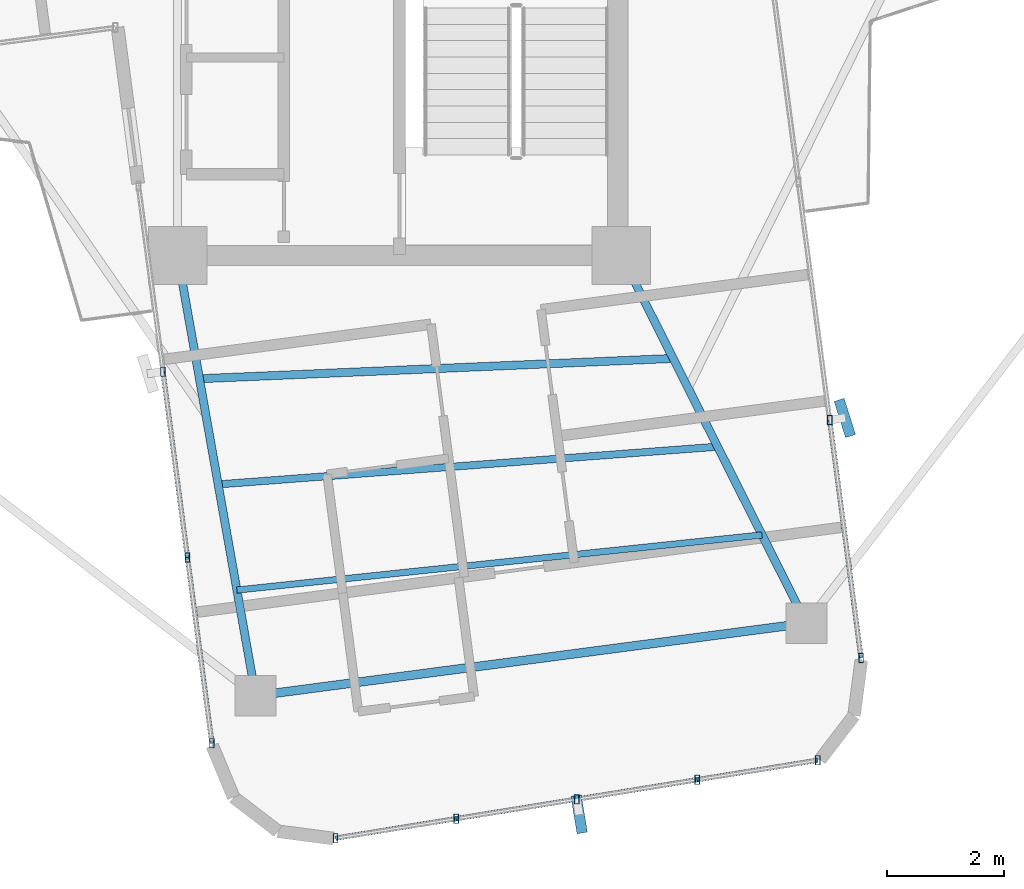
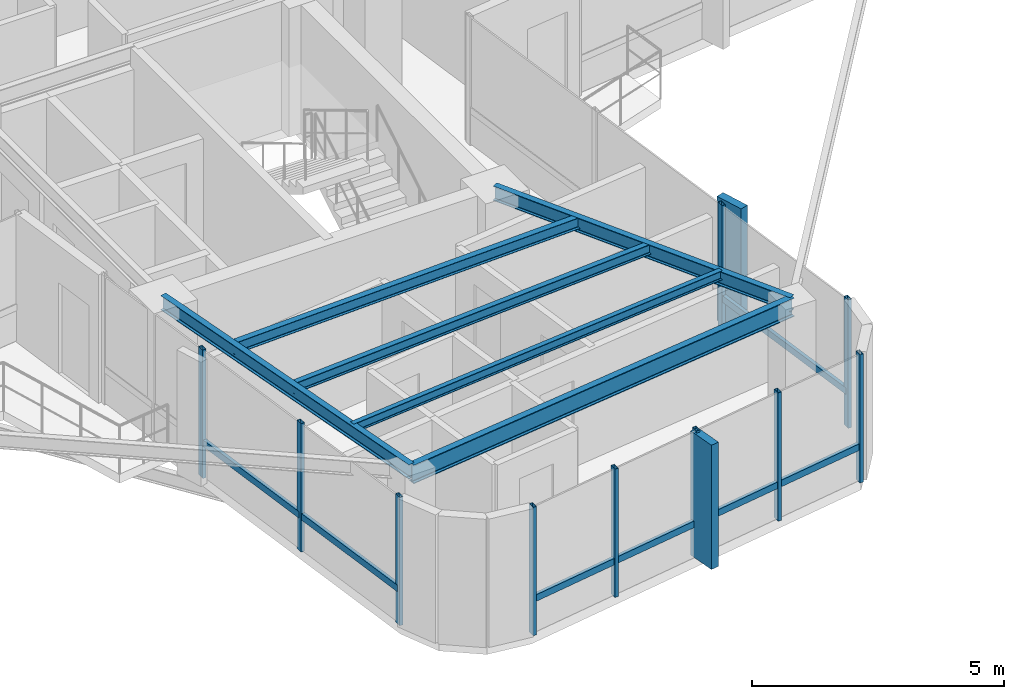
# One storey, part 4 of 23: 19 members, 6 beams, 3 elements without a shape of their own.
"""IFC4 building model written with IfcOpenShell, lengths in metres."""

from ifc_helpers import new_model, si_unit, direction, frame, origin, origin_2d, place, context, subcontext, project, spatial, rectangle, hollow_rectangle, i_section, extrude, source, transform, mapped, material, material_profile, profile_set, type_object, element, aggregate, save


model = new_model("IFC4")

# Units and contexts
model_context = context("Model", 3, precision=1e-05, world=origin(), true_north=direction((0.0, 1.0)))
body_context = subcontext(model_context, "Body", "Model", "MODEL_VIEW")
ifc_project = project(units=[si_unit("LENGTHUNIT", "METRE"), si_unit("AREAUNIT", "SQUARE_METRE"), si_unit("VOLUMEUNIT", "CUBIC_METRE"), si_unit("PLANEANGLEUNIT", "RADIAN"), si_unit("MASSUNIT", "GRAM", prefix="KILO")], contexts=[model_context])

# Site, building, storey
site_placement = place(None, origin())
site = spatial("IfcSite", under=ifc_project, at=site_placement, CompositionType="ELEMENT")
building_placement = place(site_placement, origin())
building = spatial("IfcBuilding", under=site, at=building_placement, Name="Sahyath Konkavel Grand Hotel", CompositionType="ELEMENT")
storey_placement = place(building_placement, frame((0.0, 0.0, 251.199951171875)))
storey = spatial("IfcBuildingStorey", under=building, at=storey_placement, Name="L70", CompositionType="ELEMENT", Elevation=251.199951171875)

# Beams
ifc_material_1 = material(Name="Steel E350", Category="steel")
ifc_material_profile_1 = material_profile(ifc_material_1, i_section(OverallWidth=0.139892578125, OverallDepth=0.35009765625, WebThickness=0.008056640625, FlangeThickness=0.01416015625, FilletRadius=0.013916015625, at=origin_2d()), Name="ISMB 350")
ifc_profile_set_1 = profile_set([ifc_material_profile_1], Name="Steel E350")
beam_type_1 = type_object("IfcBeamType", Name="BM-ISMB350", PredefinedType="BEAM", material=ifc_profile_set_1)
shared_shape_1 = source(origin(), body_context, "Body", "SweptSolid", [
    extrude(i_section(OverallWidth=0.139892578125, OverallDepth=0.35009765625, WebThickness=0.008056640625, FlangeThickness=0.01416015625, FilletRadius=0.013916015625, at=origin_2d()), origin(), (0.0, 0.0, 1.0), 7.657958984375),
])
beam_1_placement = place(storey_placement, frame((-3.800048828125, -10.199951171875, 2.93505859375), z_axis=(0.174549144762, -0.98464846319, 0.0), x_axis=(0.98464846319, 0.174549144762, 0.0)))
element("IfcBeam", 1, at=beam_1_placement, inside=storey, type_object=beam_type_1, Name="L70 Cruciform Radial Girder SA", PredefinedType="BEAM", context=body_context, shape_type="MappedRepresentation", body=[
    mapped(shared_shape_1, transform((0.0, 0.0, 0.0), scale=1.0)),
])
shared_shape_2 = source(origin(), body_context, "Body", "SweptSolid", [
    extrude(i_section(OverallWidth=0.139892578125, OverallDepth=0.35009765625, WebThickness=0.008056640625, FlangeThickness=0.01416015625, FilletRadius=0.013916015625, at=origin_2d()), origin(), (0.0, 0.0, 1.0), 7.051513671875),
])
beam_2_placement = place(storey_placement, frame((3.800048828125, -10.199951171875, 2.93505859375), z_axis=(0.44970463977, -0.893177326722, 0.0), x_axis=(0.893177326722, 0.44970463977, 0.0)))
element("IfcBeam", 2, at=beam_2_placement, inside=storey, type_object=beam_type_1, Name="L70 Cruciform Radial Girder SB", PredefinedType="BEAM", context=body_context, shape_type="MappedRepresentation", body=[
    mapped(shared_shape_2, transform((0.0, 0.0, 0.0), scale=1.0)),
])
ifc_material_profile_2 = material_profile(ifc_material_1, i_section(OverallWidth=0.14990234375, OverallDepth=0.449951171875, WebThickness=0.009521484375, FlangeThickness=0.017333984375, FilletRadius=0.014892578125, at=origin_2d()), Name="ISMB 450")
ifc_profile_set_2 = profile_set([ifc_material_profile_2], Name="Steel E350")
beam_type_2 = type_object("IfcBeamType", Name="BM-ISMB450", PredefinedType="BEAM", material=ifc_profile_set_2)
shared_shape_3 = source(origin(), body_context, "Body", "SweptSolid", [
    extrude(i_section(OverallWidth=0.14990234375, OverallDepth=0.449951171875, WebThickness=0.009521484375, FlangeThickness=0.017333984375, FilletRadius=0.014892578125, at=origin_2d()), origin(), (0.0, 0.0, 1.0), 9.515869140625),
])
beam_3_placement = place(storey_placement, frame((-2.46337890625, -17.740234375, 2.885009765625), z_axis=(0.991446784002, 0.130511587574, 0.0), x_axis=(-0.130511587574, 0.991446784002, 0.0)))
element("IfcBeam", 3, at=beam_3_placement, inside=storey, type_object=beam_type_2, Name="L70 Wing Tip Edge Beam S", PredefinedType="BEAM", context=body_context, shape_type="MappedRepresentation", body=[
    mapped(shared_shape_3, transform((0.0, 0.0, 0.0), scale=1.0)),
])
ifc_material_profile_3 = material_profile(ifc_material_1, i_section(OverallWidth=0.139892578125, OverallDepth=0.27490234375, WebThickness=0.00634765625, FlangeThickness=0.0087890625, FilletRadius=0.012939453125, at=origin_2d()), Name="ISLB 275")
ifc_profile_set_3 = profile_set([ifc_material_profile_3], Name="Steel E350")
beam_type_3 = type_object("IfcBeamType", Name="BM-ISLB275", PredefinedType="BEAM", material=ifc_profile_set_3)
shared_shape_4 = source(origin(), body_context, "Body", "SweptSolid", [
    extrude(i_section(OverallWidth=0.139892578125, OverallDepth=0.27490234375, WebThickness=0.00634765625, FlangeThickness=0.0087890625, FilletRadius=0.012939453125, at=origin_2d()), origin(), (0.0, 0.0, 1.0), 8.121337890625),
])
beam_4_placement = place(storey_placement, frame((-3.42578125, -12.311279296875, 2.97265625), z_axis=(0.999082013769, 0.042838414564, 0.0), x_axis=(-0.042838414564, 0.999082013769, 0.0)))
element("IfcBeam", 4, at=beam_4_placement, inside=storey, type_object=beam_type_3, Name="L70 Secondary Floor Beam S-1", PredefinedType="BEAM", context=body_context, shape_type="MappedRepresentation", body=[
    mapped(shared_shape_4, transform((0.0, 0.0, 0.0), scale=1.0)),
])
ifc_material_profile_4 = material_profile(ifc_material_1, i_section(OverallWidth=0.125, OverallDepth=0.25, WebThickness=0.0068359375, FlangeThickness=0.012451171875, FilletRadius=0.012939453125, at=origin_2d()), Name="ISMB 250")
ifc_profile_set_4 = profile_set([ifc_material_profile_4], Name="Steel E350")
beam_type_4 = type_object("IfcBeamType", Name="BM-ISMB250", PredefinedType="BEAM", material=ifc_profile_set_4)
shared_shape_5 = source(origin(), body_context, "Body", "SweptSolid", [
    extrude(i_section(OverallWidth=0.125, OverallDepth=0.25, WebThickness=0.0068359375, FlangeThickness=0.012451171875, FilletRadius=0.012939453125, at=origin_2d()), origin(), (0.0, 0.0, 1.0), 8.578369140625),
])
beam_5_placement = place(storey_placement, frame((-3.10498046875, -14.12109375, 2.985107421875), z_axis=(0.99716049254, 0.075305724327, 0.0), x_axis=(-0.075305724327, 0.99716049254, 0.0)))
element("IfcBeam", 5, at=beam_5_placement, inside=storey, type_object=beam_type_4, Name="L70 Secondary Floor Beam S-2", PredefinedType="BEAM", context=body_context, shape_type="MappedRepresentation", body=[
    mapped(shared_shape_5, transform((0.0, 0.0, 0.0), scale=1.0)),
])
ifc_material_profile_5 = material_profile(ifc_material_1, i_section(OverallWidth=0.110107421875, OverallDepth=0.22509765625, WebThickness=0.006591796875, FlangeThickness=0.01171875, FilletRadius=0.011962890625, at=origin_2d()), Name="ISMB 225")
ifc_profile_set_5 = profile_set([ifc_material_profile_5], Name="Steel E350")
beam_type_5 = type_object("IfcBeamType", Name="BM-ISMB225", PredefinedType="BEAM", material=ifc_profile_set_5)
shared_shape_6 = source(origin(), body_context, "Body", "SweptSolid", [
    extrude(i_section(OverallWidth=0.110107421875, OverallDepth=0.22509765625, WebThickness=0.006591796875, FlangeThickness=0.01171875, FilletRadius=0.011962890625, at=origin_2d()), origin(), (0.0, 0.0, 1.0), 9.04345703125),
])
beam_6_placement = place(storey_placement, frame((-2.7841796875, -15.9306640625, 2.99755859375), z_axis=(0.994536030603, 0.104393887903, 0.0), x_axis=(-0.104393887903, 0.994536030603, 0.0)))
element("IfcBeam", 6, at=beam_6_placement, inside=storey, type_object=beam_type_5, Name="L70 Secondary Floor Beam S-3", PredefinedType="BEAM", context=body_context, shape_type="MappedRepresentation", body=[
    mapped(shared_shape_6, transform((0.0, 0.0, 0.0), scale=1.0)),
])

# Curtain wall, member
ifc_material_2 = material(Name="Anodised Bronze Aluminium & Low-E Glazing", Category="aluminium")
curtain_wall_type = type_object("IfcCurtainWallType", Name="CW-ZONE4", PredefinedType="NOTDEFINED", material=ifc_material_2)
curtain_wall_1_placement = place(storey_placement, origin())
curtain_wall_1 = element("IfcCurtainWall", 7, at=curtain_wall_1_placement, inside=storey, type_object=curtain_wall_type, Name="L70 Unitised Curtain Wall F28", PredefinedType="NOTDEFINED")
ifc_material_3 = material(Name="Warm Buff Sandstone Cladding on Concrete C50/60", Category="masonry")
ifc_material_profile_6 = material_profile(ifc_material_3, rectangle(XDim=0.179931640625, YDim=0.64990234375, at=origin_2d()), Name="FIN 180x650")
ifc_profile_set_6 = profile_set([ifc_material_profile_6], Name="Warm Buff Sandstone Cladding on Concrete C50/60")
member_type_1 = type_object("IfcMemberType", Name="FIN-SANDSTONE-650", PredefinedType="MULLION", material=ifc_profile_set_6)
shared_shape_7 = source(origin(), body_context, "Body", "SweptSolid", [
    extrude(rectangle(XDim=0.179931640625, YDim=0.64990234375, at=origin_2d()), origin(), (0.0, 0.0, 1.0), 3.010009765625),
])
member_1_placement = place(storey_placement, frame((3.076904296875, -19.7705078125, 0.050048828125), z_axis=(0.0, 0.0, 1.0), x_axis=(0.986572161607, 0.163325962242, 0.0)))
member_1 = element("IfcMember", 8, at=member_1_placement, type_object=member_type_1, Name="L70 Sandstone Vertical Solar Fin FIN F28-2", PredefinedType="MULLION", context=body_context, shape_type="MappedRepresentation", body=[
    mapped(shared_shape_7, transform((0.0, 0.0, 0.0), scale=1.0)),
])

curtain_wall_2_placement = place(storey_placement, origin())
curtain_wall_2 = element("IfcCurtainWall", 9, at=curtain_wall_2_placement, inside=storey, type_object=curtain_wall_type, Name="L70 Unitised Curtain Wall F31", PredefinedType="NOTDEFINED")
member_2_placement = place(storey_placement, frame((7.6279296875, -12.98291015625, 0.050048828125), z_axis=(0.0, 0.0, 1.0), x_axis=(0.953716950748, 0.300705799504, 0.0)))
member_2 = element("IfcMember", 10, at=member_2_placement, type_object=member_type_1, Name="L70 Sandstone Vertical Solar Fin FIN F31-1", PredefinedType="MULLION", context=body_context, shape_type="MappedRepresentation", body=[
    mapped(shared_shape_7, transform((0.0, 0.0, 0.0), scale=1.0)),
])

# Curtain wall, members
curtain_wall_3_placement = place(storey_placement, origin())
curtain_wall_3 = element("IfcCurtainWall", 11, at=curtain_wall_3_placement, inside=storey, type_object=curtain_wall_type, Name="L70 Unitised Curtain Wall F24", PredefinedType="NOTDEFINED")
ifc_material_4 = material(Name="Anodised Bronze Aluminium", Category="aluminium")
ifc_material_profile_7 = material_profile(ifc_material_4, hollow_rectangle(XDim=0.080078125, YDim=0.159912109375, WallThickness=0.006103515625, at=origin_2d()), Name="RHS 160x80x6")
ifc_profile_set_7 = profile_set([ifc_material_profile_7], Name="Anodised Bronze Aluminium")
member_type_2 = type_object("IfcMemberType", Name="CW-MUL-160", PredefinedType="MULLION", material=ifc_profile_set_7)
shared_shape_8 = source(origin(), body_context, "Body", "SweptSolid", [
    extrude(hollow_rectangle(XDim=0.080078125, YDim=0.159912109375, WallThickness=0.006103515625, at=origin_2d()), origin(), (0.0, 0.0, 1.0), 3.110107421875),
])
member_3_placement = place(storey_placement, frame((-4.051513671875, -12.19091796875, 0.0), z_axis=(0.0, 0.0, 1.0), x_axis=(1.0, 0.0, 0.0)))
member_3 = element("IfcMember", 12, at=member_3_placement, type_object=member_type_2, Name="L70 Curtain Wall Mullion F24-1", PredefinedType="MULLION", context=body_context, shape_type="MappedRepresentation", body=[
    mapped(shared_shape_8, transform((0.0, 0.0, 0.0), scale=1.0)),
])
member_4_placement = place(storey_placement, frame((-3.632568359375, -15.373046875, 0.0), z_axis=(0.0, 0.0, 1.0), x_axis=(1.0, 0.0, 0.0)))
member_4 = element("IfcMember", 13, at=member_4_placement, type_object=member_type_2, Name="L70 Curtain Wall Mullion F24-2", PredefinedType="MULLION", context=body_context, shape_type="MappedRepresentation", body=[
    mapped(shared_shape_8, transform((0.0, 0.0, 0.0), scale=1.0)),
])
member_5_placement = place(storey_placement, frame((-3.21337890625, -18.55517578125, 0.0), z_axis=(0.0, 0.0, 1.0), x_axis=(1.0, 0.0, 0.0)))
member_5 = element("IfcMember", 14, at=member_5_placement, type_object=member_type_2, Name="L70 Curtain Wall Mullion F24-3", PredefinedType="MULLION", context=body_context, shape_type="MappedRepresentation", body=[
    mapped(shared_shape_8, transform((0.0, 0.0, 0.0), scale=1.0)),
])

# Member
member_6_placement = place(storey_placement, frame((-1.09326171875, -20.18115234375, 0.0), z_axis=(0.0, 0.0, 1.0), x_axis=(1.0, 0.0, 0.0)))
member_6 = element("IfcMember", 15, at=member_6_placement, type_object=member_type_2, Name="L70 Curtain Wall Mullion F28-0", PredefinedType="MULLION", context=body_context, shape_type="MappedRepresentation", body=[
    mapped(shared_shape_8, transform((0.0, 0.0, 0.0), scale=1.0)),
])

member_7_placement = place(storey_placement, frame((0.97119140625, -19.847412109375, 0.0), z_axis=(0.0, 0.0, 1.0), x_axis=(1.0, 0.0, 0.0)))
member_7 = element("IfcMember", 16, at=member_7_placement, type_object=member_type_2, Name="L70 Curtain Wall Mullion F28-1", PredefinedType="MULLION", context=body_context, shape_type="MappedRepresentation", body=[
    mapped(shared_shape_8, transform((0.0, 0.0, 0.0), scale=1.0)),
])

member_8_placement = place(storey_placement, frame((3.035400390625, -19.513916015625, 0.0), z_axis=(0.0, 0.0, 1.0), x_axis=(1.0, 0.0, 0.0)))
member_8 = element("IfcMember", 17, at=member_8_placement, type_object=member_type_2, Name="L70 Curtain Wall Mullion F28-2", PredefinedType="MULLION", context=body_context, shape_type="MappedRepresentation", body=[
    mapped(shared_shape_8, transform((0.0, 0.0, 0.0), scale=1.0)),
])

member_9_placement = place(storey_placement, frame((5.099853515625, -19.18017578125, 0.0), z_axis=(0.0, 0.0, 1.0), x_axis=(1.0, 0.0, 0.0)))
member_9 = element("IfcMember", 18, at=member_9_placement, type_object=member_type_2, Name="L70 Curtain Wall Mullion F28-3", PredefinedType="MULLION", context=body_context, shape_type="MappedRepresentation", body=[
    mapped(shared_shape_8, transform((0.0, 0.0, 0.0), scale=1.0)),
])

member_10_placement = place(storey_placement, frame((7.164306640625, -18.846435546875, 0.0), z_axis=(0.0, 0.0, 1.0), x_axis=(1.0, 0.0, 0.0)))
member_10 = element("IfcMember", 19, at=member_10_placement, type_object=member_type_2, Name="L70 Curtain Wall Mullion F28-4", PredefinedType="MULLION", context=body_context, shape_type="MappedRepresentation", body=[
    mapped(shared_shape_8, transform((0.0, 0.0, 0.0), scale=1.0)),
])

member_11_placement = place(storey_placement, frame((7.906494140625, -17.09130859375, 0.0), z_axis=(0.0, 0.0, 1.0), x_axis=(1.0, 0.0, 0.0)))
member_11 = element("IfcMember", 20, at=member_11_placement, type_object=member_type_2, Name="L70 Curtain Wall Mullion F31-0", PredefinedType="MULLION", context=body_context, shape_type="MappedRepresentation", body=[
    mapped(shared_shape_8, transform((0.0, 0.0, 0.0), scale=1.0)),
])

member_12_placement = place(storey_placement, frame((7.3701171875, -13.0166015625, 0.0), z_axis=(0.0, 0.0, 1.0), x_axis=(1.0, 0.0, 0.0)))
member_12 = element("IfcMember", 21, at=member_12_placement, type_object=member_type_2, Name="L70 Curtain Wall Mullion F31-1", PredefinedType="MULLION", context=body_context, shape_type="MappedRepresentation", body=[
    mapped(shared_shape_8, transform((0.0, 0.0, 0.0), scale=1.0)),
])

ifc_material_profile_8 = material_profile(ifc_material_4, hollow_rectangle(XDim=0.080078125, YDim=0.159912109375, WallThickness=0.006103515625, at=origin_2d()), Name="RHS 160x80x6")
ifc_profile_set_8 = profile_set([ifc_material_profile_8], Name="Anodised Bronze Aluminium")
member_type_3 = type_object("IfcMemberType", Name="CW-TRN-160", PredefinedType="USERDEFINED", material=ifc_profile_set_8)
shared_shape_9 = source(origin(), body_context, "Body", "SweptSolid", [
    extrude(hollow_rectangle(XDim=0.080078125, YDim=0.159912109375, WallThickness=0.006103515625, at=origin_2d()), origin(), (0.0, 0.0, 1.0), 3.209716796875),
])
member_13_placement = place(storey_placement, frame((-3.632568359375, -15.373046875, 0.85009765625), z_axis=(0.130604052594, -0.991434607751, 0.0), x_axis=(0.991434607751, 0.130604052594, 0.0)))
member_13 = element("IfcMember", 22, at=member_13_placement, type_object=member_type_3, Name="L70 Curtain Wall Transom F24-2-spandrel", ObjectType="TRANSOM", PredefinedType="USERDEFINED", context=body_context, shape_type="MappedRepresentation", body=[
    mapped(shared_shape_9, transform((0.0, 0.0, 0.0), scale=1.0)),
])

shared_shape_10 = source(origin(), body_context, "Body", "SweptSolid", [
    extrude(hollow_rectangle(XDim=0.080078125, YDim=0.159912109375, WallThickness=0.006103515625, at=origin_2d()), origin(), (0.0, 0.0, 1.0), 3.20947265625),
])
member_14_placement = place(storey_placement, frame((-4.051513671875, -12.19091796875, 0.85009765625), z_axis=(0.130529283696, -0.991444454368, 0.0), x_axis=(0.991444454368, 0.130529283696, 0.0)))
member_14 = element("IfcMember", 23, at=member_14_placement, type_object=member_type_3, Name="L70 Curtain Wall Transom F24-1-spandrel", ObjectType="TRANSOM", PredefinedType="USERDEFINED", context=body_context, shape_type="MappedRepresentation", body=[
    mapped(shared_shape_10, transform((0.0, 0.0, 0.0), scale=1.0)),
])

aggregate(curtain_wall_3, [member_3, member_4, member_5, member_14, member_13])

shared_shape_11 = source(origin(), body_context, "Body", "SweptSolid", [
    extrude(hollow_rectangle(XDim=0.080078125, YDim=0.159912109375, WallThickness=0.006103515625, at=origin_2d()), origin(), (0.0, 0.0, 1.0), 2.09130859375),
])
member_15_placement = place(storey_placement, frame((-1.09326171875, -20.18115234375, 0.85009765625), z_axis=(0.987183631938, 0.15958846084, 0.0), x_axis=(-0.15958846084, 0.987183631938, 0.0)))
member_15 = element("IfcMember", 24, at=member_15_placement, type_object=member_type_3, Name="L70 Curtain Wall Transom F28-0-spandrel", ObjectType="TRANSOM", PredefinedType="USERDEFINED", context=body_context, shape_type="MappedRepresentation", body=[
    mapped(shared_shape_11, transform((0.0, 0.0, 0.0), scale=1.0)),
])

member_16_placement = place(storey_placement, frame((3.035400390625, -19.513916015625, 0.85009765625), z_axis=(0.987183631938, 0.15958846084, 0.0), x_axis=(-0.15958846084, 0.987183631938, 0.0)))
member_16 = element("IfcMember", 25, at=member_16_placement, type_object=member_type_3, Name="L70 Curtain Wall Transom F28-2-spandrel", ObjectType="TRANSOM", PredefinedType="USERDEFINED", context=body_context, shape_type="MappedRepresentation", body=[
    mapped(shared_shape_11, transform((0.0, 0.0, 0.0), scale=1.0)),
])

member_17_placement = place(storey_placement, frame((5.099853515625, -19.18017578125, 0.85009765625), z_axis=(0.987183631938, 0.15958846084, 0.0), x_axis=(-0.15958846084, 0.987183631938, 0.0)))
member_17 = element("IfcMember", 26, at=member_17_placement, type_object=member_type_3, Name="L70 Curtain Wall Transom F28-3-spandrel", ObjectType="TRANSOM", PredefinedType="USERDEFINED", context=body_context, shape_type="MappedRepresentation", body=[
    mapped(shared_shape_11, transform((0.0, 0.0, 0.0), scale=1.0)),
])

shared_shape_12 = source(origin(), body_context, "Body", "SweptSolid", [
    extrude(hollow_rectangle(XDim=0.080078125, YDim=0.159912109375, WallThickness=0.006103515625, at=origin_2d()), origin(), (0.0, 0.0, 1.0), 2.091064453125),
])
member_18_placement = place(storey_placement, frame((0.97119140625, -19.847412109375, 0.85009765625), z_axis=(0.987199048259, 0.159493069181, 0.0), x_axis=(-0.159493069181, 0.987199048259, 0.0)))
member_18 = element("IfcMember", 27, at=member_18_placement, type_object=member_type_3, Name="L70 Curtain Wall Transom F28-1-spandrel", ObjectType="TRANSOM", PredefinedType="USERDEFINED", context=body_context, shape_type="MappedRepresentation", body=[
    mapped(shared_shape_12, transform((0.0, 0.0, 0.0), scale=1.0)),
])

aggregate(curtain_wall_1, [member_6, member_7, member_8, member_1, member_9, member_10, member_15, member_18, member_16, member_17])

shared_shape_13 = source(origin(), body_context, "Body", "SweptSolid", [
    extrude(hollow_rectangle(XDim=0.080078125, YDim=0.159912109375, WallThickness=0.006103515625, at=origin_2d()), origin(), (0.0, 0.0, 1.0), 4.10986328125),
])
member_19_placement = place(storey_placement, frame((7.906494140625, -17.09130859375, 0.85009765625), z_axis=(-0.13050983177, 0.991447015131, 0.0), x_axis=(-0.991447015131, -0.13050983177, 0.0)))
member_19 = element("IfcMember", 28, at=member_19_placement, type_object=member_type_3, Name="L70 Curtain Wall Transom F31-0-spandrel", ObjectType="TRANSOM", PredefinedType="USERDEFINED", context=body_context, shape_type="MappedRepresentation", body=[
    mapped(shared_shape_13, transform((0.0, 0.0, 0.0), scale=1.0)),
])

aggregate(curtain_wall_2, [member_11, member_12, member_2, member_19])

save(model, "model.ifc")
